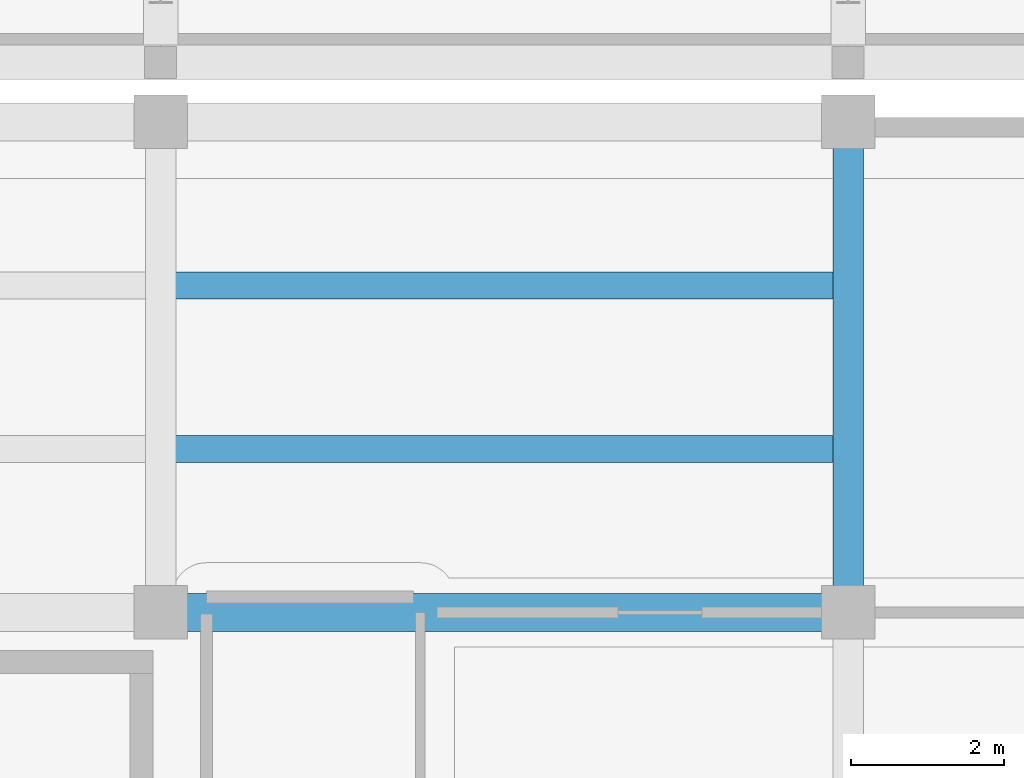
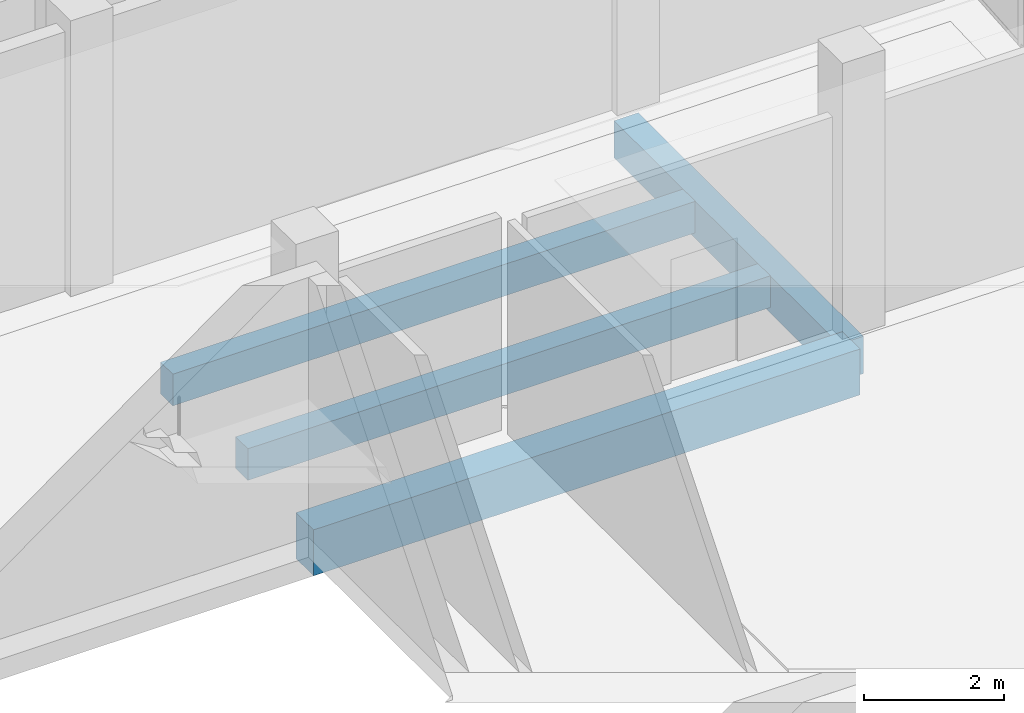
# One storey, part 83 of 151: 4 beams.
"""IFC4 building model written with IfcOpenShell, lengths in metres."""

from ifc_helpers import new_model, si_unit, direction, frame, origin, origin_2d, place, context, subcontext, project, spatial, rectangle, extrude, material, material_profile, profile_set, type_object, element, save


model = new_model("IFC4")

# Units and contexts
model_context = context("Model", 3, precision=1e-05, world=origin(), true_north=direction((0.0, 1.0)))
body_context = subcontext(model_context, "Body", "Model", "MODEL_VIEW")
ifc_project = project(units=[si_unit("LENGTHUNIT", "METRE"), si_unit("AREAUNIT", "SQUARE_METRE"), si_unit("VOLUMEUNIT", "CUBIC_METRE"), si_unit("PLANEANGLEUNIT", "RADIAN"), si_unit("MASSUNIT", "GRAM", prefix="KILO")], contexts=[model_context])

# Site, building, storey
site_placement = place(None, origin())
site = spatial("IfcSite", under=ifc_project, at=site_placement, CompositionType="ELEMENT")
building_placement = place(site_placement, origin())
building = spatial("IfcBuilding", under=site, at=building_placement, Name="Chiffa Square Polytechnic", CompositionType="ELEMENT")
storey_placement = place(building_placement, origin())
storey = spatial("IfcBuildingStorey", under=building, at=storey_placement, Name="L00", CompositionType="ELEMENT", Elevation=0.0)

# Beams
ifc_material_1 = material(Name="Concrete C35/45", Category="concrete")
ifc_material_profile_1 = material_profile(ifc_material_1, rectangle(XDim=0.39990234375, YDim=0.64990234375, at=origin_2d()), Name="RC 400x650")
ifc_profile_set_1 = profile_set([ifc_material_profile_1], Name="Concrete C35/45")
beam_type_1 = type_object("IfcBeamType", Name="BM-RC-400X650", PredefinedType="BEAM", material=ifc_profile_set_1)
beam_1_placement = place(storey_placement, frame((166.199951171875, 51.0, -0.675048828125), z_axis=(0.0, 1.0, 0.0), x_axis=(-1.0, 0.0, 0.0)))
element("IfcBeam", 1, at=beam_1_placement, inside=storey, type_object=beam_type_1, Name="Primary floor girder BM-V1-L00-Y-1662-0510", PredefinedType="BEAM", context=body_context, shape_type="SweptSolid", body=[
    extrude(rectangle(XDim=0.39990234375, YDim=0.64990234375, at=origin_2d()), origin(), (0.0, 0.0, 1.0), 6.419921875),
])
ifc_material_2 = material(Name="Concrete C40/50", Category="concrete")
ifc_material_profile_2 = material_profile(ifc_material_2, rectangle(XDim=0.5, YDim=0.800048828125, at=origin_2d()), Name="RC 500x800")
ifc_profile_set_2 = profile_set([ifc_material_profile_2], Name="Concrete C40/50")
beam_type_2 = type_object("IfcBeamType", Name="BM-RC-500X800", PredefinedType="BEAM", material=ifc_profile_set_2)
beam_2_placement = place(storey_placement, frame((157.199951171875, 51.0, -0.75), z_axis=(1.0, 0.0, 0.0), x_axis=(0.0, 1.0, 0.0)))
element("IfcBeam", 2, at=beam_2_placement, inside=storey, type_object=beam_type_2, Name="Primary floor girder BM-V1-L00-X-1572-0510", PredefinedType="BEAM", context=body_context, shape_type="SweptSolid", body=[
    extrude(rectangle(XDim=0.5, YDim=0.800048828125, at=origin_2d()), origin(), (0.0, 0.0, 1.0), 9.0),
])
ifc_material_profile_3 = material_profile(ifc_material_1, rectangle(XDim=0.35009765625, YDim=0.550048828125, at=origin_2d()), Name="RC 350x550")
ifc_profile_set_3 = profile_set([ifc_material_profile_3], Name="Concrete C35/45")
beam_type_3 = type_object("IfcBeamType", Name="JST-RC-350X550", PredefinedType="JOIST", material=ifc_profile_set_3)
for number, where, z_axis, x_axis, name in (
    (3, (157.39794921875, 53.139892578125, -0.625), (1.0, 0.0, 0.0), (0.0, 1.0, 0.0), "Secondary floor joist JST-V1-L00-1572-0531"),
    (4, (157.39794921875, 55.280029296875, -0.625), (1.0, 0.0, 0.0), (0.0, 1.0, 0.0), "Secondary floor joist JST-V1-L00-1572-0553"),
):
    element("IfcBeam", number, at=place(storey_placement, frame(where, z_axis=z_axis, x_axis=x_axis)), inside=storey, type_object=beam_type_3, Name=name, PredefinedType="JOIST", context=body_context, shape_type="SweptSolid", body=[
        extrude(rectangle(XDim=0.35009765625, YDim=0.550048828125, at=origin_2d()), origin(), (0.0, 0.0, 1.0), 8.60400390625),
    ])

save(model, "model.ifc")
